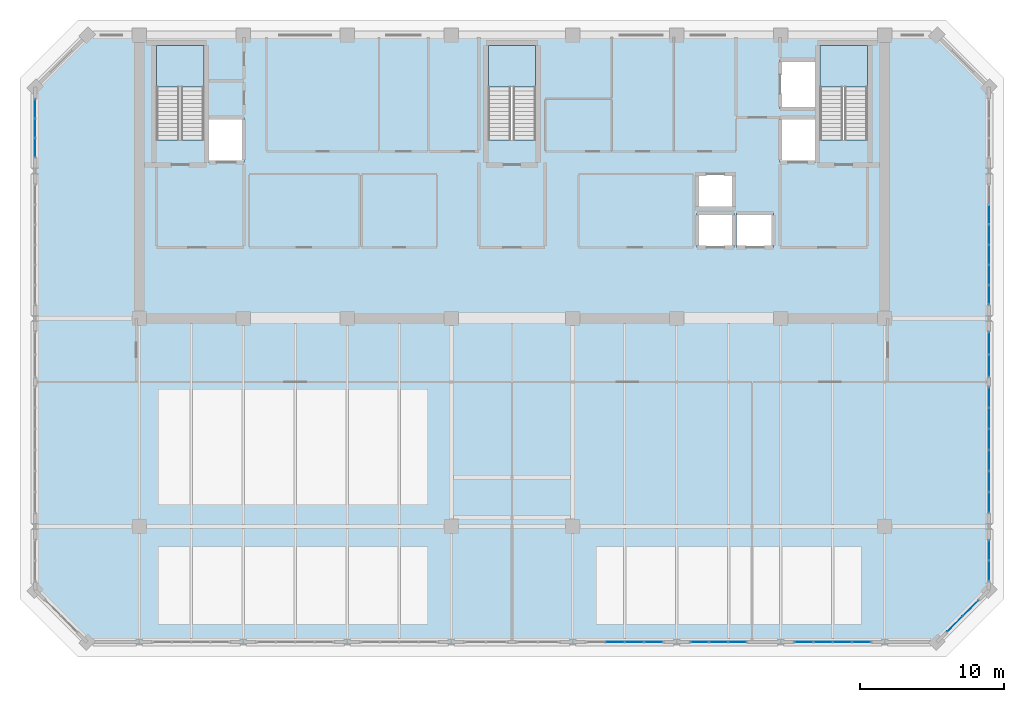
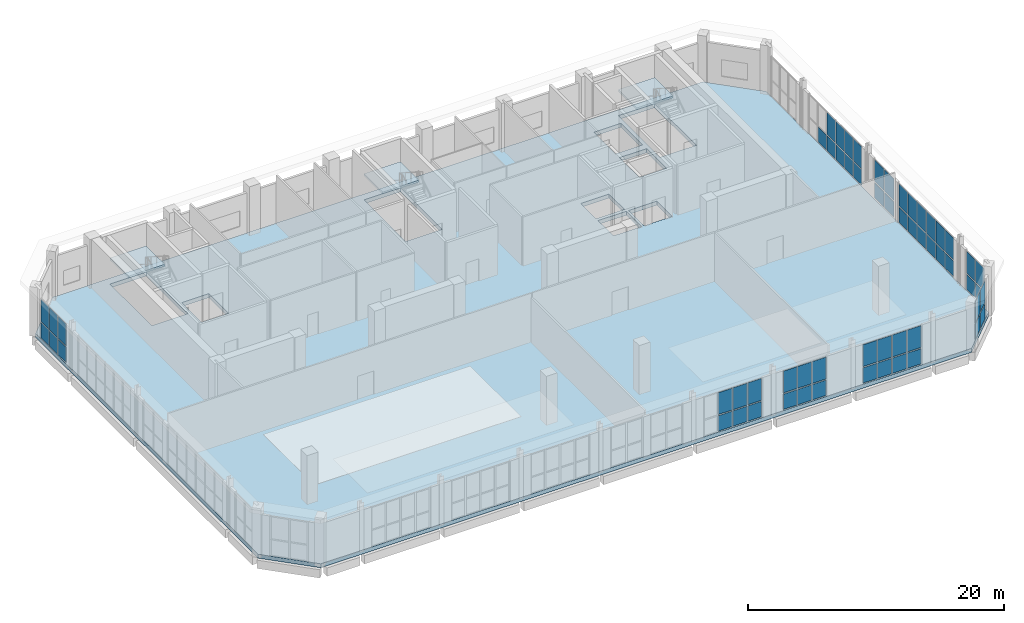
# One storey, part 28 of 36: 59 plates, 4 slabs, 12 elements without a shape of their own.
"""IFC4 building model written with IfcOpenShell, lengths in metres."""

import ifcopenshell
import ifcopenshell.guid

model = None  # the IFC model being written
_history = None  # IfcOwnerHistory: only IFC2X3 demands one
_inside = {}  # id of a spatial element -> (the spatial element, [elements in it])
_under = {}  # id of a project, library or spatial element -> (it, [spatial elements below it])
_declared = {}  # id of a project -> (the project, [libraries it declares])
_typed = {}  # id of a type object -> (the type object, [elements of that type])
_made_of = {}  # id of a material, layer set ... -> (it, [elements and type objects made of it])


def new_model(schema):
    """Start an empty IFC model of exactly this schema.

    Asked for "IFC4X3", IfcOpenShell would pick the latest addendum, in which some entities
    have other attributes; the version numbers below select the first issue.
    IFC2X3 requires an IfcOwnerHistory on every rooted entity: one is made here for all.
    """
    global model, _history
    if schema == "IFC4X3":
        model = ifcopenshell.file(schema_version=(4, 3, 0, 0))
    else:
        model = ifcopenshell.file(schema=schema)
    _inside.clear()
    _under.clear()
    _declared.clear()
    _typed.clear()
    _made_of.clear()
    _history = None
    if model.schema == "IFC2X3":
        org = make("IfcOrganization", Name="unknown")
        user = make(
            "IfcPersonAndOrganization",
            ThePerson=make("IfcPerson", FamilyName="unknown"),
            TheOrganization=org,
        )
        app = make(
            "IfcApplication",
            ApplicationDeveloper=org,
            Version="unknown",
            ApplicationFullName="unknown",
            ApplicationIdentifier="unknown",
        )
        _history = make(
            "IfcOwnerHistory",
            OwningUser=user,
            OwningApplication=app,
            ChangeAction="ADDED",
            CreationDate=0,
        )
    return model


def make(cls, **values):
    """One entity of the class cls with the attributes given. An attribute that is None is left unset."""
    return model.create_entity(
        cls, **{name: value for name, value in values.items() if value is not None}
    )


def rooted(cls, **values):
    """An entity with a GlobalId (a new one), such as an element, a storey or a relation."""
    return make(cls, GlobalId=ifcopenshell.guid.new(), OwnerHistory=_history, **values)


def si_unit(unit_type, name, prefix=None):
    """IfcSIUnit, for example si_unit("LENGTHUNIT", "METRE", prefix="MILLI")."""
    return make("IfcSIUnit", UnitType=unit_type, Prefix=prefix, Name=name)


def assignment(units):
    """IfcUnitAssignment: the units of a project."""
    return None if units is None else make("IfcUnitAssignment", Units=units)


def point(xyz):
    """IfcCartesianPoint."""
    return None if xyz is None else make("IfcCartesianPoint", Coordinates=xyz)


def direction(xyz):
    """IfcDirection."""
    return None if xyz is None else make("IfcDirection", DirectionRatios=xyz)


def frame(location, z_axis=None, x_axis=None):
    """IfcAxis2Placement3D, a coordinate frame: its origin and axes. An axis left out is left unset."""
    return make(
        "IfcAxis2Placement3D",
        Location=point(location),
        Axis=direction(z_axis),
        RefDirection=direction(x_axis),
    )


def frame_2d(location, x_axis=None):
    """IfcAxis2Placement2D, a coordinate frame in the plane: its origin and x axis."""
    return make(
        "IfcAxis2Placement2D", Location=point(location), RefDirection=direction(x_axis)
    )


def origin():
    """The frame at (0, 0, 0) with its axes left unset."""
    return frame((0.0, 0.0, 0.0))


def origin_2d():
    """The frame at (0, 0) in the plane with its x axis left unset."""
    return frame_2d((0.0, 0.0))


def place(relative_to, where):
    """IfcLocalPlacement: puts the frame where relative to a parent placement (None: the world)."""
    return make(
        "IfcLocalPlacement", PlacementRelTo=relative_to, RelativePlacement=where
    )


def context(
    kind, dimensions, precision=None, world=None, true_north=None, identifier=None
):
    """IfcGeometricRepresentationContext, for example the 3D "Model" context."""
    return make(
        "IfcGeometricRepresentationContext",
        ContextIdentifier=identifier,
        ContextType=kind,
        CoordinateSpaceDimension=dimensions,
        Precision=precision,
        WorldCoordinateSystem=world,
        TrueNorth=true_north,
    )


def subcontext(parent, identifier, kind, view, scale=None):
    """IfcGeometricRepresentationSubContext, for example "Body" below "Model"."""
    return make(
        "IfcGeometricRepresentationSubContext",
        ContextIdentifier=identifier,
        ContextType=kind,
        ParentContext=parent,
        TargetScale=scale,
        TargetView=view,
    )


def project(units=None, contexts=None):
    """IfcProject with its units and contexts."""
    return rooted(
        "IfcProject",
        Name="project",
        RepresentationContexts=contexts,
        UnitsInContext=assignment(units),
    )


def spatial(cls, under=None, at=None, **own):
    """A site, building, storey or space (cls), placed at a placement, below another one or the project."""
    s = rooted(cls, ObjectPlacement=at, **own)
    if under is not None:
        _under.setdefault(under.id(), (under, []))[1].append(s)
    return s


def polyline(points):
    """IfcPolyline through the points."""
    return make("IfcPolyline", Points=[point(p) for p in points])


def profile(cls, at=None, kind="AREA", **sizes):
    """A parametric profile (cls). Its sizes go by their IFC names, for example OverallWidth=200.0."""
    return make(cls, ProfileType=kind, Position=at, **sizes)


def rectangle(**sizes):
    """IfcRectangleProfileDef."""
    return profile("IfcRectangleProfileDef", **sizes)


def outline(outer, holes=None, kind="AREA"):
    """IfcArbitraryClosedProfileDef: a profile drawn as a closed curve; with holes, ...WithVoids."""
    if holes is None:
        return make("IfcArbitraryClosedProfileDef", ProfileType=kind, OuterCurve=outer)
    return make(
        "IfcArbitraryProfileDefWithVoids",
        ProfileType=kind,
        OuterCurve=outer,
        InnerCurves=holes,
    )


def extrude(swept, where, along, depth):
    """IfcExtrudedAreaSolid: the profile swept, set in the frame where, extruded along a direction by depth."""
    return make(
        "IfcExtrudedAreaSolid",
        SweptArea=swept,
        Position=where,
        ExtrudedDirection=direction(along),
        Depth=depth,
    )


def shape(context_of_items, identifier, shape_type, items):
    """IfcShapeRepresentation: the items that make up one representation, for example the "Body"."""
    return make(
        "IfcShapeRepresentation",
        ContextOfItems=context_of_items,
        RepresentationIdentifier=identifier,
        RepresentationType=shape_type,
        Items=items,
    )


def material(Name=None, Category=None):
    """IfcMaterial."""
    return make("IfcMaterial", Name=Name, Category=Category)


def layer(
    of_material, thickness, ventilated=None, Name=None, Category=None, Priority=None
):
    """IfcMaterialLayer: one layer of a wall or slab, of a material (None: an air gap)."""
    return make(
        "IfcMaterialLayer",
        Material=of_material,
        LayerThickness=thickness,
        IsVentilated=ventilated,
        Name=Name,
        Category=Category,
        Priority=Priority,
    )


def layer_set(layers, Name=None):
    """IfcMaterialLayerSet."""
    return make("IfcMaterialLayerSet", MaterialLayers=layers, LayerSetName=Name)


def made_of(thing, what):
    """Note that an element or type object is made of a material, layer set ...; save() writes the relation."""
    if what is not None:
        _made_of.setdefault(what.id(), (what, []))[1].append(thing)
    return thing


def type_object(cls, material=None, **own):
    """A type object (cls), such as IfcWallType, which elements share."""
    return made_of(rooted(cls, **own), material)


def element(
    cls,
    number,
    at=None,
    inside=None,
    cuts=None,
    type_object=None,
    material=None,
    context=None,
    identifier="Body",
    shape_type=None,
    held_by="IfcProductDefinitionShape",
    body=None,
    shapes=None,
    **own,
):
    """One element of the class cls, such as IfcWall. Its Tag is "e" and its number.

    at: its placement. inside: the storey or other place that contains it. cuts: it is an
    opening in that element (IfcRelVoidsElement). A single representation is given by context,
    identifier, shape_type and body (its items); several are given by shapes. held_by: the class
    of the entity that holds the representations. save() writes the other relations.
    """
    e = rooted(cls, Tag="e%d" % number, ObjectPlacement=at, **own)
    if body is not None:
        shapes = [shape(context, identifier, shape_type, body)]
    if shapes is not None:
        e.Representation = make(held_by, Representations=shapes)
    if inside is not None:
        _inside.setdefault(inside.id(), (inside, []))[1].append(e)
    if cuts is not None:
        rooted(
            "IfcRelVoidsElement", RelatingBuildingElement=cuts, RelatedOpeningElement=e
        )
    if type_object is not None:
        _typed.setdefault(type_object.id(), (type_object, []))[1].append(e)
    return made_of(e, material)


def aggregate(whole, parts):
    """IfcRelAggregates: a whole, such as a stair, and the parts it consists of."""
    return rooted("IfcRelAggregates", RelatingObject=whole, RelatedObjects=parts)


def save(model, path):
    """Write the relations noted so far, then the file.

    IfcRelAggregates (storeys below a building ...), IfcRelContainedInSpatialStructure (elements
    in a storey), IfcRelDefinesByType, IfcRelAssociatesMaterial and IfcRelDeclares: one each for
    every whole, place, type object, material and project.
    """
    for whole, parts in _under.values():
        aggregate(whole, parts)
    for where, things in _inside.values():
        rooted(
            "IfcRelContainedInSpatialStructure",
            RelatedElements=things,
            RelatingStructure=where,
        )
    for kind, things in _typed.values():
        rooted("IfcRelDefinesByType", RelatedObjects=things, RelatingType=kind)
    for what, things in _made_of.values():
        rooted("IfcRelAssociatesMaterial", RelatedObjects=things, RelatingMaterial=what)
    for by, libraries in _declared.values():
        rooted("IfcRelDeclares", RelatingContext=by, RelatedDefinitions=libraries)
    model.write(path)


model = new_model("IFC4")

# Units and contexts
model_context = context("Model", 3, precision=1e-05, world=origin(), true_north=direction((0.0, 1.0)))
body_context = subcontext(model_context, "Body", "Model", "MODEL_VIEW")
ifc_project = project(units=[si_unit("LENGTHUNIT", "METRE"), si_unit("AREAUNIT", "SQUARE_METRE"), si_unit("VOLUMEUNIT", "CUBIC_METRE"), si_unit("PLANEANGLEUNIT", "RADIAN"), si_unit("MASSUNIT", "GRAM", prefix="KILO")], contexts=[model_context])

# Site, building, storey
site_placement = place(None, origin())
site = spatial("IfcSite", under=ifc_project, at=site_placement, CompositionType="ELEMENT")
building_placement = place(site_placement, origin())
building = spatial("IfcBuilding", under=site, at=building_placement, Name="Kaelvorn Grand Hotel", CompositionType="ELEMENT")
storey_placement = place(building_placement, frame((0.0, 0.0, 305.699951171875)))
storey = spatial("IfcBuildingStorey", under=building, at=storey_placement, Name="L74", CompositionType="ELEMENT", Elevation=305.699951171875)

# Curtain wall, plates
ifc_material_1 = material(Name="Anodised Aluminium", Category="aluminium")
ifc_layer_1 = layer(ifc_material_1, 0.159912109375)
ifc_layer_set_1 = layer_set([ifc_layer_1], Name="Anodised Aluminium")
curtain_wall_type = type_object("IfcCurtainWallType", Name="CW-SYS6", PredefinedType="NOTDEFINED", material=ifc_layer_set_1)
curtain_wall_1_placement = place(storey_placement, origin())
curtain_wall_1 = element("IfcCurtainWall", 1, at=curtain_wall_1_placement, inside=storey, type_object=curtain_wall_type, Name="L74 Unitised Curtain Wall CW6 (CW-L74-S-06)", PredefinedType="NOTDEFINED")
ifc_material_2 = material(Name="Laminated Low-E Glass", Category="glass")
ifc_layer_2 = layer(ifc_material_2, 0.02587890625)
ifc_layer_set_2 = layer_set([ifc_layer_2], Name="Laminated Low-E Glass")
plate_type = type_object("IfcPlateType", Name="CW-SYS6-PAN", PredefinedType="CURTAIN_PANEL", material=ifc_layer_set_2)
plate_1_placement = place(storey_placement, frame((49.1298828125, 7.0, 0.1201171875), z_axis=(0.0, 0.0, 1.0), x_axis=(1.0, 0.0, 0.0)))
plate_1 = element("IfcPlate", 2, at=plate_1_placement, type_object=plate_type, Name="CW6 panel 2.1", PredefinedType="CURTAIN_PANEL", context=body_context, shape_type="SweptSolid", body=[
    extrude(rectangle(XDim=1.27490234375, YDim=0.02587890625, at=origin_2d()), origin(), (0.0, 0.0, 1.0), 1.4580078125),
])
plate_2_placement = place(storey_placement, frame((49.1298828125, 7.0, 1.697998046875), z_axis=(0.0, 0.0, 1.0), x_axis=(1.0, 0.0, 0.0)))
plate_2 = element("IfcPlate", 3, at=plate_2_placement, type_object=plate_type, Name="CW6 panel 2.2", PredefinedType="CURTAIN_PANEL", context=body_context, shape_type="SweptSolid", body=[
    extrude(rectangle(XDim=1.27490234375, YDim=0.02587890625, at=origin_2d()), origin(), (0.0, 0.0, 1.0), 2.08203125),
])
plate_3_placement = place(storey_placement, frame((50.469970703125, 7.0, 0.1201171875), z_axis=(0.0, 0.0, 1.0), x_axis=(1.0, 0.0, 0.0)))
plate_3 = element("IfcPlate", 4, at=plate_3_placement, type_object=plate_type, Name="CW6 panel 3.1", PredefinedType="CURTAIN_PANEL", context=body_context, shape_type="SweptSolid", body=[
    extrude(rectangle(XDim=1.27490234375, YDim=0.02587890625, at=origin_2d()), origin(), (0.0, 0.0, 1.0), 1.4580078125),
])
plate_4_placement = place(storey_placement, frame((50.469970703125, 7.0, 1.697998046875), z_axis=(0.0, 0.0, 1.0), x_axis=(1.0, 0.0, 0.0)))
plate_4 = element("IfcPlate", 5, at=plate_4_placement, type_object=plate_type, Name="CW6 panel 3.2", PredefinedType="CURTAIN_PANEL", context=body_context, shape_type="SweptSolid", body=[
    extrude(rectangle(XDim=1.27490234375, YDim=0.02587890625, at=origin_2d()), origin(), (0.0, 0.0, 1.0), 2.08203125),
])
plate_5_placement = place(storey_placement, frame((51.793701171875, 7.0, 0.1201171875), z_axis=(0.0, 0.0, 1.0), x_axis=(1.0, 0.0, 0.0)))
plate_5 = element("IfcPlate", 6, at=plate_5_placement, type_object=plate_type, Name="CW6 panel 4.1", PredefinedType="CURTAIN_PANEL", context=body_context, shape_type="SweptSolid", body=[
    extrude(rectangle(XDim=1.242431640625, YDim=0.02587890625, at=origin_2d()), origin(), (0.0, 0.0, 1.0), 1.4580078125),
])
plate_6_placement = place(storey_placement, frame((51.793701171875, 7.0, 1.697998046875), z_axis=(0.0, 0.0, 1.0), x_axis=(1.0, 0.0, 0.0)))
plate_6 = element("IfcPlate", 7, at=plate_6_placement, type_object=plate_type, Name="CW6 panel 4.2", PredefinedType="CURTAIN_PANEL", context=body_context, shape_type="SweptSolid", body=[
    extrude(rectangle(XDim=1.242431640625, YDim=0.02587890625, at=origin_2d()), origin(), (0.0, 0.0, 1.0), 2.08203125),
])
aggregate(curtain_wall_1, [plate_1, plate_2, plate_3, plate_4, plate_5, plate_6])

curtain_wall_2_placement = place(storey_placement, origin())
curtain_wall_2 = element("IfcCurtainWall", 8, at=curtain_wall_2_placement, inside=storey, type_object=curtain_wall_type, Name="L74 Unitised Curtain Wall CW6 (CW-L74-S-07)", PredefinedType="NOTDEFINED")
plate_7_placement = place(storey_placement, frame((54.996337890625, 7.0, 0.1201171875), z_axis=(0.0, 0.0, 1.0), x_axis=(1.0, 0.0, 0.0)))
plate_7 = element("IfcPlate", 9, at=plate_7_placement, type_object=plate_type, Name="CW6 panel 1.1", PredefinedType="CURTAIN_PANEL", context=body_context, shape_type="SweptSolid", body=[
    extrude(rectangle(XDim=1.222412109375, YDim=0.02587890625, at=origin_2d()), origin(), (0.0, 0.0, 1.0), 1.4580078125),
])
plate_8_placement = place(storey_placement, frame((54.996337890625, 7.0, 1.697998046875), z_axis=(0.0, 0.0, 1.0), x_axis=(1.0, 0.0, 0.0)))
plate_8 = element("IfcPlate", 10, at=plate_8_placement, type_object=plate_type, Name="CW6 panel 1.2", PredefinedType="CURTAIN_PANEL", context=body_context, shape_type="SweptSolid", body=[
    extrude(rectangle(XDim=1.222412109375, YDim=0.02587890625, at=origin_2d()), origin(), (0.0, 0.0, 1.0), 2.08203125),
])
plate_9_placement = place(storey_placement, frame((56.300048828125, 7.0, 0.1201171875), z_axis=(0.0, 0.0, 1.0), x_axis=(1.0, 0.0, 0.0)))
plate_9 = element("IfcPlate", 11, at=plate_9_placement, type_object=plate_type, Name="CW6 panel 2.1", PredefinedType="CURTAIN_PANEL", context=body_context, shape_type="SweptSolid", body=[
    extrude(rectangle(XDim=1.2548828125, YDim=0.02587890625, at=origin_2d()), origin(), (0.0, 0.0, 1.0), 1.4580078125),
])
plate_10_placement = place(storey_placement, frame((56.300048828125, 7.0, 1.697998046875), z_axis=(0.0, 0.0, 1.0), x_axis=(1.0, 0.0, 0.0)))
plate_10 = element("IfcPlate", 12, at=plate_10_placement, type_object=plate_type, Name="CW6 panel 2.2", PredefinedType="CURTAIN_PANEL", context=body_context, shape_type="SweptSolid", body=[
    extrude(rectangle(XDim=1.2548828125, YDim=0.02587890625, at=origin_2d()), origin(), (0.0, 0.0, 1.0), 2.08203125),
])
plate_11_placement = place(storey_placement, frame((57.603759765625, 7.0, 0.1201171875), z_axis=(0.0, 0.0, 1.0), x_axis=(1.0, 0.0, 0.0)))
plate_11 = element("IfcPlate", 13, at=plate_11_placement, type_object=plate_type, Name="CW6 panel 3.1", PredefinedType="CURTAIN_PANEL", context=body_context, shape_type="SweptSolid", body=[
    extrude(rectangle(XDim=1.222412109375, YDim=0.02587890625, at=origin_2d()), origin(), (0.0, 0.0, 1.0), 1.4580078125),
])
plate_12_placement = place(storey_placement, frame((57.603759765625, 7.0, 1.697998046875), z_axis=(0.0, 0.0, 1.0), x_axis=(1.0, 0.0, 0.0)))
plate_12 = element("IfcPlate", 14, at=plate_12_placement, type_object=plate_type, Name="CW6 panel 3.2", PredefinedType="CURTAIN_PANEL", context=body_context, shape_type="SweptSolid", body=[
    extrude(rectangle(XDim=1.222412109375, YDim=0.02587890625, at=origin_2d()), origin(), (0.0, 0.0, 1.0), 2.08203125),
])
aggregate(curtain_wall_2, [plate_7, plate_8, plate_9, plate_10, plate_11, plate_12])

curtain_wall_3_placement = place(storey_placement, origin())
curtain_wall_3 = element("IfcCurtainWall", 15, at=curtain_wall_3_placement, inside=storey, type_object=curtain_wall_type, Name="L74 Unitised Curtain Wall CW6 (CW-L74-S-08)", PredefinedType="NOTDEFINED")
plate_13_placement = place(storey_placement, frame((62.206298828125, 7.0, 0.1201171875), z_axis=(0.0, 0.0, 1.0), x_axis=(1.0, 0.0, 0.0)))
plate_13 = element("IfcPlate", 16, at=plate_13_placement, type_object=plate_type, Name="CW6 panel 1.1", PredefinedType="CURTAIN_PANEL", context=body_context, shape_type="SweptSolid", body=[
    extrude(rectangle(XDim=1.242431640625, YDim=0.02587890625, at=origin_2d()), origin(), (0.0, 0.0, 1.0), 1.4580078125),
])
plate_14_placement = place(storey_placement, frame((62.206298828125, 7.0, 1.697998046875), z_axis=(0.0, 0.0, 1.0), x_axis=(1.0, 0.0, 0.0)))
plate_14 = element("IfcPlate", 17, at=plate_14_placement, type_object=plate_type, Name="CW6 panel 1.2", PredefinedType="CURTAIN_PANEL", context=body_context, shape_type="SweptSolid", body=[
    extrude(rectangle(XDim=1.242431640625, YDim=0.02587890625, at=origin_2d()), origin(), (0.0, 0.0, 1.0), 2.08203125),
])
plate_15_placement = place(storey_placement, frame((63.530029296875, 7.0, 0.1201171875), z_axis=(0.0, 0.0, 1.0), x_axis=(1.0, 0.0, 0.0)))
plate_15 = element("IfcPlate", 18, at=plate_15_placement, type_object=plate_type, Name="CW6 panel 2.1", PredefinedType="CURTAIN_PANEL", context=body_context, shape_type="SweptSolid", body=[
    extrude(rectangle(XDim=1.27490234375, YDim=0.02587890625, at=origin_2d()), origin(), (0.0, 0.0, 1.0), 1.4580078125),
])
plate_16_placement = place(storey_placement, frame((63.530029296875, 7.0, 1.697998046875), z_axis=(0.0, 0.0, 1.0), x_axis=(1.0, 0.0, 0.0)))
plate_16 = element("IfcPlate", 19, at=plate_16_placement, type_object=plate_type, Name="CW6 panel 2.2", PredefinedType="CURTAIN_PANEL", context=body_context, shape_type="SweptSolid", body=[
    extrude(rectangle(XDim=1.27490234375, YDim=0.02587890625, at=origin_2d()), origin(), (0.0, 0.0, 1.0), 2.08203125),
])
plate_17_placement = place(storey_placement, frame((64.8701171875, 7.0, 0.1201171875), z_axis=(0.0, 0.0, 1.0), x_axis=(1.0, 0.0, 0.0)))
plate_17 = element("IfcPlate", 20, at=plate_17_placement, type_object=plate_type, Name="CW6 panel 3.1", PredefinedType="CURTAIN_PANEL", context=body_context, shape_type="SweptSolid", body=[
    extrude(rectangle(XDim=1.27490234375, YDim=0.02587890625, at=origin_2d()), origin(), (0.0, 0.0, 1.0), 1.4580078125),
])
plate_18_placement = place(storey_placement, frame((64.8701171875, 7.0, 1.697998046875), z_axis=(0.0, 0.0, 1.0), x_axis=(1.0, 0.0, 0.0)))
plate_18 = element("IfcPlate", 21, at=plate_18_placement, type_object=plate_type, Name="CW6 panel 3.2", PredefinedType="CURTAIN_PANEL", context=body_context, shape_type="SweptSolid", body=[
    extrude(rectangle(XDim=1.27490234375, YDim=0.02587890625, at=origin_2d()), origin(), (0.0, 0.0, 1.0), 2.08203125),
])
plate_19_placement = place(storey_placement, frame((66.19384765625, 7.0, 0.1201171875), z_axis=(0.0, 0.0, 1.0), x_axis=(1.0, 0.0, 0.0)))
plate_19 = element("IfcPlate", 22, at=plate_19_placement, type_object=plate_type, Name="CW6 panel 4.1", PredefinedType="CURTAIN_PANEL", context=body_context, shape_type="SweptSolid", body=[
    extrude(rectangle(XDim=1.242431640625, YDim=0.02587890625, at=origin_2d()), origin(), (0.0, 0.0, 1.0), 1.4580078125),
])
plate_20_placement = place(storey_placement, frame((66.19384765625, 7.0, 1.697998046875), z_axis=(0.0, 0.0, 1.0), x_axis=(1.0, 0.0, 0.0)))
plate_20 = element("IfcPlate", 23, at=plate_20_placement, type_object=plate_type, Name="CW6 panel 4.2", PredefinedType="CURTAIN_PANEL", context=body_context, shape_type="SweptSolid", body=[
    extrude(rectangle(XDim=1.242431640625, YDim=0.02587890625, at=origin_2d()), origin(), (0.0, 0.0, 1.0), 2.08203125),
])
aggregate(curtain_wall_3, [plate_13, plate_14, plate_15, plate_16, plate_17, plate_18, plate_19, plate_20])

curtain_wall_4_placement = place(storey_placement, origin())
curtain_wall_4 = element("IfcCurtainWall", 24, at=curtain_wall_4_placement, inside=storey, type_object=curtain_wall_type, Name="L74 Unitised Curtain Wall CW6 (CW-L74-SE)", PredefinedType="NOTDEFINED")
plate_21_placement = place(storey_placement, frame((72.657958984375, 8.258056640625, 0.1201171875), z_axis=(0.0, 0.0, 1.0), x_axis=(0.707106781187, 0.707106781187, 0.0)))
plate_21 = element("IfcPlate", 25, at=plate_21_placement, type_object=plate_type, Name="CW6 panel 1.1", PredefinedType="CURTAIN_PANEL", context=body_context, shape_type="SweptSolid", body=[
    extrude(rectangle(XDim=1.468017578125, YDim=0.02587890625, at=origin_2d()), origin(), (0.0, 0.0, 1.0), 1.4580078125),
])
plate_22_placement = place(storey_placement, frame((72.657958984375, 8.258056640625, 1.697998046875), z_axis=(0.0, 0.0, 1.0), x_axis=(0.707106781187, 0.707106781187, 0.0)))
plate_22 = element("IfcPlate", 26, at=plate_22_placement, type_object=plate_type, Name="CW6 panel 1.2", PredefinedType="CURTAIN_PANEL", context=body_context, shape_type="SweptSolid", body=[
    extrude(rectangle(XDim=1.468017578125, YDim=0.02587890625, at=origin_2d()), origin(), (0.0, 0.0, 1.0), 2.08203125),
])
plate_23_placement = place(storey_placement, frame((73.741943359375, 9.342041015625, 0.1201171875), z_axis=(0.0, 0.0, 1.0), x_axis=(0.707106781187, 0.707106781187, 0.0)))
plate_23 = element("IfcPlate", 27, at=plate_23_placement, type_object=plate_type, Name="CW6 panel 2.1", PredefinedType="CURTAIN_PANEL", context=body_context, shape_type="SweptSolid", body=[
    extrude(rectangle(XDim=1.468017578125, YDim=0.02587890625, at=origin_2d()), origin(), (0.0, 0.0, 1.0), 1.4580078125),
])
plate_24_placement = place(storey_placement, frame((73.741943359375, 9.342041015625, 1.697998046875), z_axis=(0.0, 0.0, 1.0), x_axis=(0.707106781187, 0.707106781187, 0.0)))
plate_24 = element("IfcPlate", 28, at=plate_24_placement, type_object=plate_type, Name="CW6 panel 2.2", PredefinedType="CURTAIN_PANEL", context=body_context, shape_type="SweptSolid", body=[
    extrude(rectangle(XDim=1.468017578125, YDim=0.02587890625, at=origin_2d()), origin(), (0.0, 0.0, 1.0), 2.08203125),
])
aggregate(curtain_wall_4, [plate_21, plate_22, plate_23, plate_24])

curtain_wall_5_placement = place(storey_placement, origin())
curtain_wall_5 = element("IfcCurtainWall", 29, at=curtain_wall_5_placement, inside=storey, type_object=curtain_wall_type, Name="L74 Unitised Curtain Wall CW6 (CW-L74-E-01)", PredefinedType="NOTDEFINED")
plate_25_placement = place(storey_placement, frame((75.0, 11.936279296875, 0.1201171875), z_axis=(0.0, 0.0, 1.0), x_axis=(0.0, 1.0, 0.0)))
plate_25 = element("IfcPlate", 30, at=plate_25_placement, type_object=plate_type, Name="CW6 panel 1.1", PredefinedType="CURTAIN_PANEL", context=body_context, shape_type="SweptSolid", body=[
    extrude(rectangle(XDim=1.342529296875, YDim=0.02587890625, at=origin_2d()), origin(), (0.0, 0.0, 1.0), 1.4580078125),
])
plate_26_placement = place(storey_placement, frame((75.0, 11.936279296875, 1.697998046875), z_axis=(0.0, 0.0, 1.0), x_axis=(0.0, 1.0, 0.0)))
plate_26 = element("IfcPlate", 31, at=plate_26_placement, type_object=plate_type, Name="CW6 panel 1.2", PredefinedType="CURTAIN_PANEL", context=body_context, shape_type="SweptSolid", body=[
    extrude(rectangle(XDim=1.342529296875, YDim=0.02587890625, at=origin_2d()), origin(), (0.0, 0.0, 1.0), 2.08203125),
])
plate_27_placement = place(storey_placement, frame((75.0, 13.34375, 0.1201171875), z_axis=(0.0, 0.0, 1.0), x_axis=(0.0, 1.0, 0.0)))
plate_27 = element("IfcPlate", 32, at=plate_27_placement, type_object=plate_type, Name="CW6 panel 2.1", PredefinedType="CURTAIN_PANEL", context=body_context, shape_type="SweptSolid", body=[
    extrude(rectangle(XDim=1.342529296875, YDim=0.02587890625, at=origin_2d()), origin(), (0.0, 0.0, 1.0), 1.4580078125),
])
plate_28_placement = place(storey_placement, frame((75.0, 13.34375, 1.697998046875), z_axis=(0.0, 0.0, 1.0), x_axis=(0.0, 1.0, 0.0)))
plate_28 = element("IfcPlate", 33, at=plate_28_placement, type_object=plate_type, Name="CW6 panel 2.2", PredefinedType="CURTAIN_PANEL", context=body_context, shape_type="SweptSolid", body=[
    extrude(rectangle(XDim=1.342529296875, YDim=0.02587890625, at=origin_2d()), origin(), (0.0, 0.0, 1.0), 2.08203125),
])
aggregate(curtain_wall_5, [plate_25, plate_26, plate_27, plate_28])

curtain_wall_6_placement = place(storey_placement, origin())
curtain_wall_6 = element("IfcCurtainWall", 34, at=curtain_wall_6_placement, inside=storey, type_object=curtain_wall_type, Name="L74 Unitised Curtain Wall CW6 (CW-L74-E-02)", PredefinedType="NOTDEFINED")
plate_29_placement = place(storey_placement, frame((75.0, 16.666259765625, 0.1201171875), z_axis=(0.0, 0.0, 1.0), x_axis=(0.0, 1.0, 0.0)))
plate_29 = element("IfcPlate", 35, at=plate_29_placement, type_object=plate_type, Name="CW6 panel 1.1", PredefinedType="CURTAIN_PANEL", context=body_context, shape_type="SweptSolid", body=[
    extrude(rectangle(XDim=1.362548828125, YDim=0.02587890625, at=origin_2d()), origin(), (0.0, 0.0, 1.0), 1.4580078125),
])
plate_30_placement = place(storey_placement, frame((75.0, 16.666259765625, 1.697998046875), z_axis=(0.0, 0.0, 1.0), x_axis=(0.0, 1.0, 0.0)))
plate_30 = element("IfcPlate", 36, at=plate_30_placement, type_object=plate_type, Name="CW6 panel 1.2", PredefinedType="CURTAIN_PANEL", context=body_context, shape_type="SweptSolid", body=[
    extrude(rectangle(XDim=1.362548828125, YDim=0.02587890625, at=origin_2d()), origin(), (0.0, 0.0, 1.0), 2.08203125),
])
plate_31_placement = place(storey_placement, frame((75.0, 18.110107421875, 0.1201171875), z_axis=(0.0, 0.0, 1.0), x_axis=(0.0, 1.0, 0.0)))
plate_31 = element("IfcPlate", 37, at=plate_31_placement, type_object=plate_type, Name="CW6 panel 2.1", PredefinedType="CURTAIN_PANEL", context=body_context, shape_type="SweptSolid", body=[
    extrude(rectangle(XDim=1.39501953125, YDim=0.02587890625, at=origin_2d()), origin(), (0.0, 0.0, 1.0), 1.4580078125),
])
plate_32_placement = place(storey_placement, frame((75.0, 18.110107421875, 1.697998046875), z_axis=(0.0, 0.0, 1.0), x_axis=(0.0, 1.0, 0.0)))
plate_32 = element("IfcPlate", 38, at=plate_32_placement, type_object=plate_type, Name="CW6 panel 2.2", PredefinedType="CURTAIN_PANEL", context=body_context, shape_type="SweptSolid", body=[
    extrude(rectangle(XDim=1.39501953125, YDim=0.02587890625, at=origin_2d()), origin(), (0.0, 0.0, 1.0), 2.08203125),
])
plate_33_placement = place(storey_placement, frame((75.0, 19.570068359375, 0.1201171875), z_axis=(0.0, 0.0, 1.0), x_axis=(0.0, 1.0, 0.0)))
plate_33 = element("IfcPlate", 39, at=plate_33_placement, type_object=plate_type, Name="CW6 panel 3.1", PredefinedType="CURTAIN_PANEL", context=body_context, shape_type="SweptSolid", body=[
    extrude(rectangle(XDim=1.39501953125, YDim=0.02587890625, at=origin_2d()), origin(), (0.0, 0.0, 1.0), 1.4580078125),
])
plate_34_placement = place(storey_placement, frame((75.0, 19.570068359375, 1.697998046875), z_axis=(0.0, 0.0, 1.0), x_axis=(0.0, 1.0, 0.0)))
plate_34 = element("IfcPlate", 40, at=plate_34_placement, type_object=plate_type, Name="CW6 panel 3.2", PredefinedType="CURTAIN_PANEL", context=body_context, shape_type="SweptSolid", body=[
    extrude(rectangle(XDim=1.39501953125, YDim=0.02587890625, at=origin_2d()), origin(), (0.0, 0.0, 1.0), 2.08203125),
])
plate_35_placement = place(storey_placement, frame((75.0, 21.030029296875, 0.1201171875), z_axis=(0.0, 0.0, 1.0), x_axis=(0.0, 1.0, 0.0)))
plate_35 = element("IfcPlate", 41, at=plate_35_placement, type_object=plate_type, Name="CW6 panel 4.1", PredefinedType="CURTAIN_PANEL", context=body_context, shape_type="SweptSolid", body=[
    extrude(rectangle(XDim=1.39501953125, YDim=0.02587890625, at=origin_2d()), origin(), (0.0, 0.0, 1.0), 1.4580078125),
])
plate_36_placement = place(storey_placement, frame((75.0, 21.030029296875, 1.697998046875), z_axis=(0.0, 0.0, 1.0), x_axis=(0.0, 1.0, 0.0)))
plate_36 = element("IfcPlate", 42, at=plate_36_placement, type_object=plate_type, Name="CW6 panel 4.2", PredefinedType="CURTAIN_PANEL", context=body_context, shape_type="SweptSolid", body=[
    extrude(rectangle(XDim=1.39501953125, YDim=0.02587890625, at=origin_2d()), origin(), (0.0, 0.0, 1.0), 2.08203125),
])
plate_37_placement = place(storey_placement, frame((75.0, 22.489990234375, 0.1201171875), z_axis=(0.0, 0.0, 1.0), x_axis=(0.0, 1.0, 0.0)))
plate_37 = element("IfcPlate", 43, at=plate_37_placement, type_object=plate_type, Name="CW6 panel 5.1", PredefinedType="CURTAIN_PANEL", context=body_context, shape_type="SweptSolid", body=[
    extrude(rectangle(XDim=1.39501953125, YDim=0.02587890625, at=origin_2d()), origin(), (0.0, 0.0, 1.0), 1.4580078125),
])
plate_38_placement = place(storey_placement, frame((75.0, 22.489990234375, 1.697998046875), z_axis=(0.0, 0.0, 1.0), x_axis=(0.0, 1.0, 0.0)))
plate_38 = element("IfcPlate", 44, at=plate_38_placement, type_object=plate_type, Name="CW6 panel 5.2", PredefinedType="CURTAIN_PANEL", context=body_context, shape_type="SweptSolid", body=[
    extrude(rectangle(XDim=1.39501953125, YDim=0.02587890625, at=origin_2d()), origin(), (0.0, 0.0, 1.0), 2.08203125),
])
plate_39_placement = place(storey_placement, frame((75.0, 23.933837890625, 0.1201171875), z_axis=(0.0, 0.0, 1.0), x_axis=(0.0, 1.0, 0.0)))
plate_39 = element("IfcPlate", 45, at=plate_39_placement, type_object=plate_type, Name="CW6 panel 6.1", PredefinedType="CURTAIN_PANEL", context=body_context, shape_type="SweptSolid", body=[
    extrude(rectangle(XDim=1.362548828125, YDim=0.02587890625, at=origin_2d()), origin(), (0.0, 0.0, 1.0), 1.4580078125),
])
plate_40_placement = place(storey_placement, frame((75.0, 23.933837890625, 1.697998046875), z_axis=(0.0, 0.0, 1.0), x_axis=(0.0, 1.0, 0.0)))
plate_40 = element("IfcPlate", 46, at=plate_40_placement, type_object=plate_type, Name="CW6 panel 6.2", PredefinedType="CURTAIN_PANEL", context=body_context, shape_type="SweptSolid", body=[
    extrude(rectangle(XDim=1.362548828125, YDim=0.02587890625, at=origin_2d()), origin(), (0.0, 0.0, 1.0), 2.08203125),
])
aggregate(curtain_wall_6, [plate_29, plate_30, plate_31, plate_32, plate_33, plate_34, plate_35, plate_36, plate_37, plate_38, plate_39, plate_40])

curtain_wall_7_placement = place(storey_placement, origin())
curtain_wall_7 = element("IfcCurtainWall", 47, at=curtain_wall_7_placement, inside=storey, type_object=curtain_wall_type, Name="L74 Unitised Curtain Wall CW6 (CW-L74-E-03)", PredefinedType="NOTDEFINED")
plate_41_placement = place(storey_placement, frame((75.0, 26.126220703125, 0.1201171875), z_axis=(0.0, 0.0, 1.0), x_axis=(0.0, 1.0, 0.0)))
plate_41 = element("IfcPlate", 48, at=plate_41_placement, type_object=plate_type, Name="CW6 panel 1.1", PredefinedType="CURTAIN_PANEL", context=body_context, shape_type="SweptSolid", body=[
    extrude(rectangle(XDim=1.482421875, YDim=0.02587890625, at=origin_2d()), origin(), (0.0, 0.0, 1.0), 1.4580078125),
])
plate_42_placement = place(storey_placement, frame((75.0, 26.126220703125, 1.697998046875), z_axis=(0.0, 0.0, 1.0), x_axis=(0.0, 1.0, 0.0)))
plate_42 = element("IfcPlate", 49, at=plate_42_placement, type_object=plate_type, Name="CW6 panel 1.2", PredefinedType="CURTAIN_PANEL", context=body_context, shape_type="SweptSolid", body=[
    extrude(rectangle(XDim=1.482421875, YDim=0.02587890625, at=origin_2d()), origin(), (0.0, 0.0, 1.0), 2.08203125),
])
plate_43_placement = place(storey_placement, frame((75.0, 27.673828125, 0.1201171875), z_axis=(0.0, 0.0, 1.0), x_axis=(0.0, 1.0, 0.0)))
plate_43 = element("IfcPlate", 50, at=plate_43_placement, type_object=plate_type, Name="CW6 panel 2.1", PredefinedType="CURTAIN_PANEL", context=body_context, shape_type="SweptSolid", body=[
    extrude(rectangle(XDim=1.482421875, YDim=0.02587890625, at=origin_2d()), origin(), (0.0, 0.0, 1.0), 1.4580078125),
])
plate_44_placement = place(storey_placement, frame((75.0, 27.673828125, 1.697998046875), z_axis=(0.0, 0.0, 1.0), x_axis=(0.0, 1.0, 0.0)))
plate_44 = element("IfcPlate", 51, at=plate_44_placement, type_object=plate_type, Name="CW6 panel 2.2", PredefinedType="CURTAIN_PANEL", context=body_context, shape_type="SweptSolid", body=[
    extrude(rectangle(XDim=1.482421875, YDim=0.02587890625, at=origin_2d()), origin(), (0.0, 0.0, 1.0), 2.08203125),
])
aggregate(curtain_wall_7, [plate_41, plate_42, plate_43, plate_44])

curtain_wall_8_placement = place(storey_placement, origin())
curtain_wall_8 = element("IfcCurtainWall", 52, at=curtain_wall_8_placement, inside=storey, type_object=curtain_wall_type, Name="L74 Unitised Curtain Wall CW6 (CW-L74-E-04)", PredefinedType="NOTDEFINED")
plate_45_placement = place(storey_placement, frame((75.0, 31.032958984375, 0.1201171875), z_axis=(0.0, 0.0, 1.0), x_axis=(0.0, 1.0, 0.0)))
plate_45 = element("IfcPlate", 53, at=plate_45_placement, type_object=plate_type, Name="CW6 panel 1.1", PredefinedType="CURTAIN_PANEL", context=body_context, shape_type="SweptSolid", body=[
    extrude(rectangle(XDim=1.2958984375, YDim=0.02587890625, at=origin_2d()), origin(), (0.0, 0.0, 1.0), 1.4580078125),
])
plate_46_placement = place(storey_placement, frame((75.0, 31.032958984375, 1.697998046875), z_axis=(0.0, 0.0, 1.0), x_axis=(0.0, 1.0, 0.0)))
plate_46 = element("IfcPlate", 54, at=plate_46_placement, type_object=plate_type, Name="CW6 panel 1.2", PredefinedType="CURTAIN_PANEL", context=body_context, shape_type="SweptSolid", body=[
    extrude(rectangle(XDim=1.2958984375, YDim=0.02587890625, at=origin_2d()), origin(), (0.0, 0.0, 1.0), 2.08203125),
])
plate_47_placement = place(storey_placement, frame((75.0, 32.409912109375, 0.1201171875), z_axis=(0.0, 0.0, 1.0), x_axis=(0.0, 1.0, 0.0)))
plate_47 = element("IfcPlate", 55, at=plate_47_placement, type_object=plate_type, Name="CW6 panel 2.1", PredefinedType="CURTAIN_PANEL", context=body_context, shape_type="SweptSolid", body=[
    extrude(rectangle(XDim=1.328369140625, YDim=0.02587890625, at=origin_2d()), origin(), (0.0, 0.0, 1.0), 1.4580078125),
])
plate_48_placement = place(storey_placement, frame((75.0, 32.409912109375, 1.697998046875), z_axis=(0.0, 0.0, 1.0), x_axis=(0.0, 1.0, 0.0)))
plate_48 = element("IfcPlate", 56, at=plate_48_placement, type_object=plate_type, Name="CW6 panel 2.2", PredefinedType="CURTAIN_PANEL", context=body_context, shape_type="SweptSolid", body=[
    extrude(rectangle(XDim=1.328369140625, YDim=0.02587890625, at=origin_2d()), origin(), (0.0, 0.0, 1.0), 2.08203125),
])
plate_49_placement = place(storey_placement, frame((75.0, 33.80322265625, 0.1201171875), z_axis=(0.0, 0.0, 1.0), x_axis=(0.0, 1.0, 0.0)))
plate_49 = element("IfcPlate", 57, at=plate_49_placement, type_object=plate_type, Name="CW6 panel 3.1", PredefinedType="CURTAIN_PANEL", context=body_context, shape_type="SweptSolid", body=[
    extrude(rectangle(XDim=1.328369140625, YDim=0.02587890625, at=origin_2d()), origin(), (0.0, 0.0, 1.0), 1.4580078125),
])
plate_50_placement = place(storey_placement, frame((75.0, 33.80322265625, 1.697998046875), z_axis=(0.0, 0.0, 1.0), x_axis=(0.0, 1.0, 0.0)))
plate_50 = element("IfcPlate", 58, at=plate_50_placement, type_object=plate_type, Name="CW6 panel 3.2", PredefinedType="CURTAIN_PANEL", context=body_context, shape_type="SweptSolid", body=[
    extrude(rectangle(XDim=1.328369140625, YDim=0.02587890625, at=origin_2d()), origin(), (0.0, 0.0, 1.0), 2.08203125),
])
plate_51_placement = place(storey_placement, frame((75.0, 35.19677734375, 0.1201171875), z_axis=(0.0, 0.0, 1.0), x_axis=(0.0, 1.0, 0.0)))
plate_51 = element("IfcPlate", 59, at=plate_51_placement, type_object=plate_type, Name="CW6 panel 4.1", PredefinedType="CURTAIN_PANEL", context=body_context, shape_type="SweptSolid", body=[
    extrude(rectangle(XDim=1.328369140625, YDim=0.02587890625, at=origin_2d()), origin(), (0.0, 0.0, 1.0), 1.4580078125),
])
plate_52_placement = place(storey_placement, frame((75.0, 35.19677734375, 1.697998046875), z_axis=(0.0, 0.0, 1.0), x_axis=(0.0, 1.0, 0.0)))
plate_52 = element("IfcPlate", 60, at=plate_52_placement, type_object=plate_type, Name="CW6 panel 4.2", PredefinedType="CURTAIN_PANEL", context=body_context, shape_type="SweptSolid", body=[
    extrude(rectangle(XDim=1.328369140625, YDim=0.02587890625, at=origin_2d()), origin(), (0.0, 0.0, 1.0), 2.08203125),
])
plate_53_placement = place(storey_placement, frame((75.0, 36.590087890625, 0.1201171875), z_axis=(0.0, 0.0, 1.0), x_axis=(0.0, 1.0, 0.0)))
plate_53 = element("IfcPlate", 61, at=plate_53_placement, type_object=plate_type, Name="CW6 panel 5.1", PredefinedType="CURTAIN_PANEL", context=body_context, shape_type="SweptSolid", body=[
    extrude(rectangle(XDim=1.328369140625, YDim=0.02587890625, at=origin_2d()), origin(), (0.0, 0.0, 1.0), 1.4580078125),
])
aggregate(curtain_wall_8, [plate_45, plate_46, plate_47, plate_48, plate_49, plate_50, plate_51, plate_52, plate_53])

curtain_wall_9_placement = place(storey_placement, origin())
curtain_wall_9 = element("IfcCurtainWall", 62, at=curtain_wall_9_placement, inside=storey, type_object=curtain_wall_type, Name="L74 Unitised Curtain Wall CW6 (CW-L74-W-05)", PredefinedType="NOTDEFINED")
plate_54_placement = place(storey_placement, frame((9.0, 43.90380859375, 0.1201171875), z_axis=(0.0, 0.0, 1.0), x_axis=(0.0, -1.0, 0.0)))
plate_54 = element("IfcPlate", 63, at=plate_54_placement, type_object=plate_type, Name="CW6 panel 1.1", PredefinedType="CURTAIN_PANEL", context=body_context, shape_type="SweptSolid", body=[
    extrude(rectangle(XDim=1.262451171875, YDim=0.02587890625, at=origin_2d()), origin(), (0.0, 0.0, 1.0), 1.4580078125),
])
plate_55_placement = place(storey_placement, frame((9.0, 43.90380859375, 1.697998046875), z_axis=(0.0, 0.0, 1.0), x_axis=(0.0, -1.0, 0.0)))
plate_55 = element("IfcPlate", 64, at=plate_55_placement, type_object=plate_type, Name="CW6 panel 1.2", PredefinedType="CURTAIN_PANEL", context=body_context, shape_type="SweptSolid", body=[
    extrude(rectangle(XDim=1.262451171875, YDim=0.02587890625, at=origin_2d()), origin(), (0.0, 0.0, 1.0), 2.08203125),
])
plate_56_placement = place(storey_placement, frame((9.0, 42.56005859375, 0.1201171875), z_axis=(0.0, 0.0, 1.0), x_axis=(0.0, -1.0, 0.0)))
plate_56 = element("IfcPlate", 65, at=plate_56_placement, type_object=plate_type, Name="CW6 panel 2.1", PredefinedType="CURTAIN_PANEL", context=body_context, shape_type="SweptSolid", body=[
    extrude(rectangle(XDim=1.294921875, YDim=0.02587890625, at=origin_2d()), origin(), (0.0, 0.0, 1.0), 1.4580078125),
])
plate_57_placement = place(storey_placement, frame((9.0, 42.56005859375, 1.697998046875), z_axis=(0.0, 0.0, 1.0), x_axis=(0.0, -1.0, 0.0)))
plate_57 = element("IfcPlate", 66, at=plate_57_placement, type_object=plate_type, Name="CW6 panel 2.2", PredefinedType="CURTAIN_PANEL", context=body_context, shape_type="SweptSolid", body=[
    extrude(rectangle(XDim=1.294921875, YDim=0.02587890625, at=origin_2d()), origin(), (0.0, 0.0, 1.0), 2.08203125),
])
plate_58_placement = place(storey_placement, frame((9.0, 41.21630859375, 0.1201171875), z_axis=(0.0, 0.0, 1.0), x_axis=(0.0, -1.0, 0.0)))
plate_58 = element("IfcPlate", 67, at=plate_58_placement, type_object=plate_type, Name="CW6 panel 3.1", PredefinedType="CURTAIN_PANEL", context=body_context, shape_type="SweptSolid", body=[
    extrude(rectangle(XDim=1.262451171875, YDim=0.02587890625, at=origin_2d()), origin(), (0.0, 0.0, 1.0), 1.4580078125),
])
plate_59_placement = place(storey_placement, frame((9.0, 41.21630859375, 1.697998046875), z_axis=(0.0, 0.0, 1.0), x_axis=(0.0, -1.0, 0.0)))
plate_59 = element("IfcPlate", 68, at=plate_59_placement, type_object=plate_type, Name="CW6 panel 3.2", PredefinedType="CURTAIN_PANEL", context=body_context, shape_type="SweptSolid", body=[
    extrude(rectangle(XDim=1.262451171875, YDim=0.02587890625, at=origin_2d()), origin(), (0.0, 0.0, 1.0), 2.08203125),
])
aggregate(curtain_wall_9, [plate_54, plate_55, plate_56, plate_57, plate_58, plate_59])

# Slab
ifc_material_3 = material(Name="Concrete C50/60", Category="concrete")
ifc_layer_3 = layer(ifc_material_3, 0.3798828125)
ifc_layer_set_3 = layer_set([ifc_layer_3], Name="Concrete C50/60")
slab_type_1 = type_object("IfcSlabType", Name="SLB-FLR-380-C50", PredefinedType="FLOOR", material=ifc_layer_set_3)
slab_1_placement = place(storey_placement, frame((0.0, 0.0, -0.3798828125)))
element("IfcSlab", 69, at=slab_1_placement, inside=storey, type_object=slab_type_1, Name="L74 Indoor Suspended Floor Slab", PredefinedType="FLOOR", context=body_context, shape_type="SweptSolid", body=[
    extrude(outline(polyline([(12.60009765625, 7.0), (71.39990234375, 7.0), (75.0, 10.60009765625), (75.0, 45.39990234375), (71.39990234375, 49.0), (12.60009765625, 49.0), (9.0, 45.39990234375), (9.0, 10.60009765625), (12.60009765625, 7.0)]), holes=[polyline([(17.39990234375, 41.760009765625), (17.39990234375, 48.300048828125), (20.679931640625, 48.300048828125), (20.679931640625, 41.760009765625), (17.39990234375, 41.760009765625)]), polyline([(40.360107421875, 41.760009765625), (40.360107421875, 48.300048828125), (43.639892578125, 48.300048828125), (43.639892578125, 41.760009765625), (40.360107421875, 41.760009765625)]), polyline([(63.320068359375, 41.760009765625), (63.320068359375, 48.300048828125), (66.60009765625, 48.300048828125), (66.60009765625, 41.760009765625), (63.320068359375, 41.760009765625)]), polyline([(54.800048828125, 34.300048828125), (54.800048828125, 36.699951171875), (57.35009765625, 36.699951171875), (57.35009765625, 34.300048828125), (54.800048828125, 34.300048828125)]), polyline([(57.550048828125, 34.300048828125), (57.550048828125, 36.699951171875), (60.10009765625, 36.699951171875), (60.10009765625, 34.300048828125), (57.550048828125, 34.300048828125)]), polyline([(54.800048828125, 37.0), (54.800048828125, 39.39990234375), (57.35009765625, 39.39990234375), (57.35009765625, 37.0), (54.800048828125, 37.0)]), polyline([(21.0, 40.199951171875), (21.0, 43.300048828125), (23.449951171875, 43.300048828125), (23.449951171875, 40.199951171875), (21.0, 40.199951171875)]), polyline([(60.550048828125, 40.199951171875), (60.550048828125, 43.300048828125), (63.0, 43.300048828125), (63.0, 40.199951171875), (60.550048828125, 40.199951171875)]), polyline([(60.550048828125, 43.89990234375), (60.550048828125, 47.300048828125), (63.0, 47.300048828125), (63.0, 43.89990234375), (60.550048828125, 43.89990234375)])]), origin(), (0.0, 0.0, 1.0), 0.3798828125),
])

# Stair, slab
ifc_material_4 = material(Name="Concrete C40/50", Category="concrete")
stair_type = type_object("IfcStairType", Name="STR-DOG-1560-R12", PredefinedType="HALF_TURN_STAIR", material=ifc_material_4)
stair_1_placement = place(storey_placement, origin())
stair_1 = element("IfcStair", 70, at=stair_1_placement, inside=storey, type_object=stair_type, Name="L74 West Core Exit Stair ST1", PredefinedType="HALF_TURN_STAIR")
ifc_layer_4 = layer(ifc_material_4, 0.199951171875)
ifc_layer_set_4 = layer_set([ifc_layer_4], Name="Concrete C40/50")
slab_type_2 = type_object("IfcSlabType", Name="SLB-LAND-200-C40", PredefinedType="LANDING", material=ifc_layer_set_4)
slab_2_placement = place(storey_placement, frame((0.0, 0.0, 2.300048828125)))
slab_2 = element("IfcSlab", 71, at=slab_2_placement, type_object=slab_type_2, Name="ST1 landing 1", PredefinedType="LANDING", context=body_context, shape_type="SweptSolid", body=[
    extrude(outline(polyline([(20.679931640625, 45.39990234375), (20.679931640625, 48.300048828125), (17.39990234375, 48.300048828125), (17.39990234375, 45.39990234375), (20.679931640625, 45.39990234375)])), origin(), (0.0, 0.0, 1.0), 0.199951171875),
])
aggregate(stair_1, [slab_2])

stair_2_placement = place(storey_placement, origin())
stair_2 = element("IfcStair", 72, at=stair_2_placement, inside=storey, type_object=stair_type, Name="L74 Central Core Exit Stair ST2", PredefinedType="HALF_TURN_STAIR")
slab_3_placement = place(storey_placement, frame((0.0, 0.0, 2.300048828125)))
slab_3 = element("IfcSlab", 73, at=slab_3_placement, type_object=slab_type_2, Name="ST2 landing 1", PredefinedType="LANDING", context=body_context, shape_type="SweptSolid", body=[
    extrude(outline(polyline([(43.639892578125, 45.39990234375), (43.639892578125, 48.300048828125), (40.360107421875, 48.300048828125), (40.360107421875, 45.39990234375), (43.639892578125, 45.39990234375)])), origin(), (0.0, 0.0, 1.0), 0.199951171875),
])
aggregate(stair_2, [slab_3])

stair_3_placement = place(storey_placement, origin())
stair_3 = element("IfcStair", 74, at=stair_3_placement, inside=storey, type_object=stair_type, Name="L74 East Core Exit Stair ST3", PredefinedType="HALF_TURN_STAIR")
slab_4_placement = place(storey_placement, frame((0.0, 0.0, 2.300048828125)))
slab_4 = element("IfcSlab", 75, at=slab_4_placement, type_object=slab_type_2, Name="ST3 landing 1", PredefinedType="LANDING", context=body_context, shape_type="SweptSolid", body=[
    extrude(outline(polyline([(66.60009765625, 45.39990234375), (66.60009765625, 48.300048828125), (63.320068359375, 48.300048828125), (63.320068359375, 45.39990234375), (66.60009765625, 45.39990234375)])), origin(), (0.0, 0.0, 1.0), 0.199951171875),
])
aggregate(stair_3, [slab_4])

save(model, "model.ifc")
